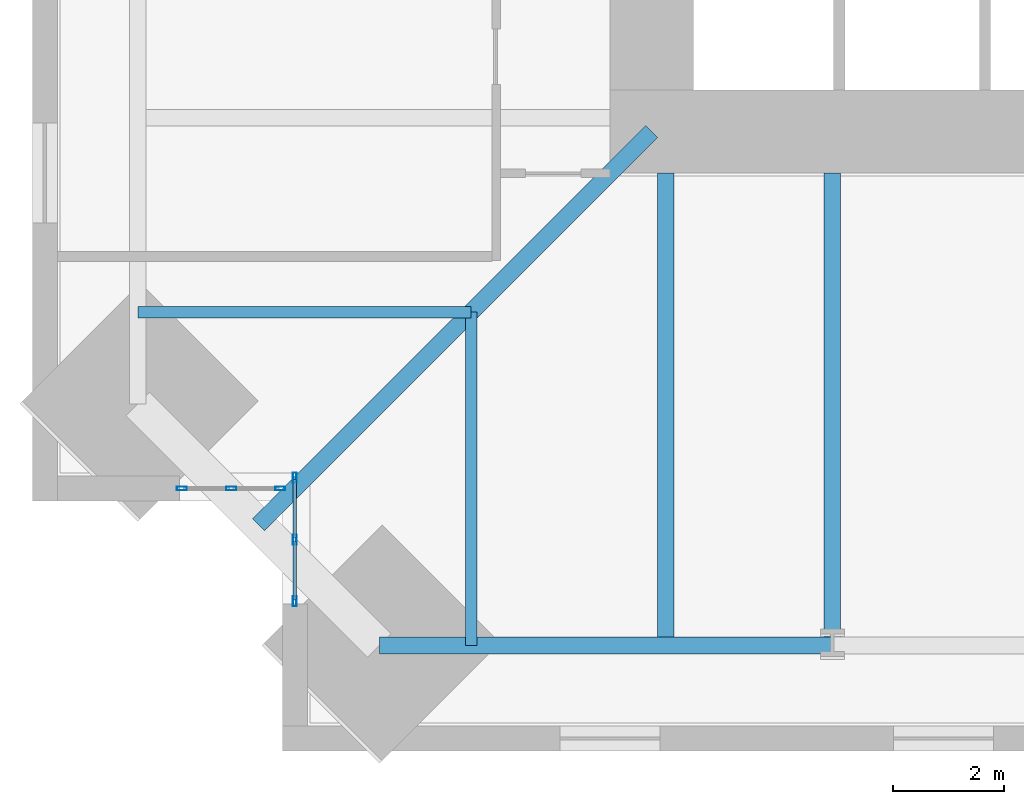
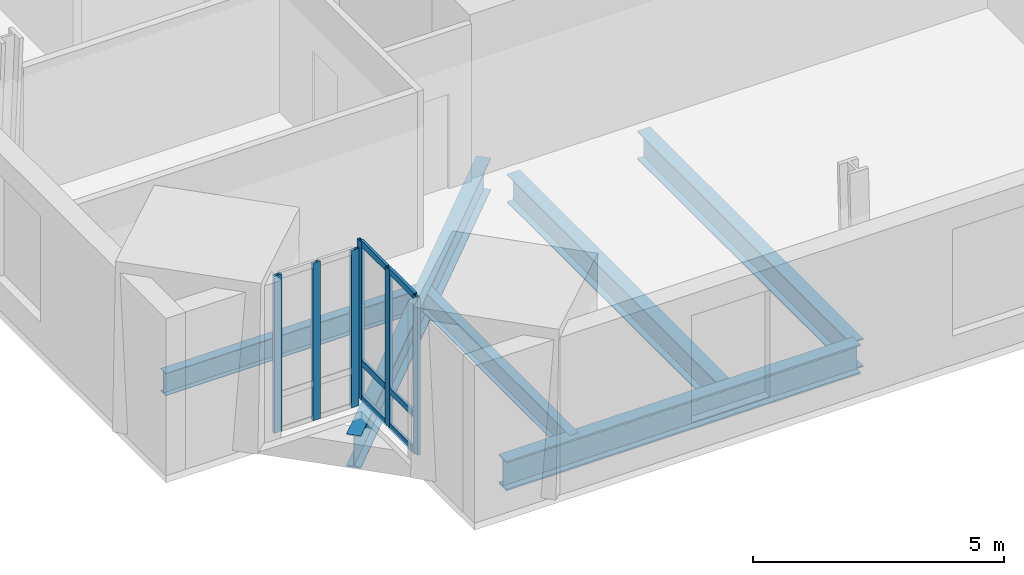
# One storey, part 2 of 17: 12 members, 6 beams, 2 elements without a shape of their own.
"""IFC4 building model written with IfcOpenShell, lengths in metres."""

from ifc_helpers import new_model, si_unit, direction, frame, origin, origin_2d, place, context, subcontext, project, spatial, hollow_rectangle, i_section, extrude, material, material_profile, profile_set, type_object, element, aggregate, save


model = new_model("IFC4")

# Units and contexts
model_context = context("Model", 3, precision=1e-05, world=origin(), true_north=direction((0.0, 1.0)))
body_context = subcontext(model_context, "Body", "Model", "MODEL_VIEW")
ifc_project = project(units=[si_unit("LENGTHUNIT", "METRE"), si_unit("AREAUNIT", "SQUARE_METRE"), si_unit("VOLUMEUNIT", "CUBIC_METRE"), si_unit("PLANEANGLEUNIT", "RADIAN"), si_unit("MASSUNIT", "GRAM", prefix="KILO")], contexts=[model_context])

# Site, building, storey
site_placement = place(None, origin())
site = spatial("IfcSite", under=ifc_project, at=site_placement, CompositionType="ELEMENT")
building_placement = place(site_placement, origin())
building = spatial("IfcBuilding", under=site, at=building_placement, Name="Peilmerk Tower", CompositionType="ELEMENT")
storey_placement = place(building_placement, frame((0.0, 0.0, 257.800048828125)))
storey = spatial("IfcBuildingStorey", under=building, at=storey_placement, Name="L57", CompositionType="ELEMENT", Elevation=257.800048828125)

# Beams
ifc_material_1 = material(Name="Steel S355", Category="steel")
ifc_material_profile_1 = material_profile(ifc_material_1, i_section(OverallWidth=0.2099609375, OverallDepth=0.550048828125, WebThickness=0.010986328125, FlangeThickness=0.01708984375, at=origin_2d()), Name="IPE 550")
ifc_profile_set_1 = profile_set([ifc_material_profile_1], Name="Steel S355")
beam_type_1 = type_object("IfcBeamType", Name="B12 IPE 550 floor beam", PredefinedType="BEAM", material=ifc_profile_set_1)
for number, where, z_axis, x_axis, name in (
    (1, (-14.5, -14.5, -0.445068359375), (0.0, -1.0, 0.0), (1.0, 0.0, 0.0), "Floor beam L57"),
    (2, (-14.5, -14.5, -0.445068359375), (-1.0, 0.0, 0.0), (0.0, -1.0, 0.0), "Floor beam L57"),
):
    element("IfcBeam", number, at=place(storey_placement, frame(where, z_axis=z_axis, x_axis=x_axis)), inside=storey, type_object=beam_type_1, Name=name, PredefinedType="BEAM", context=body_context, shape_type="SweptSolid", body=[
        extrude(i_section(OverallWidth=0.2099609375, OverallDepth=0.550048828125, WebThickness=0.010986328125, FlangeThickness=0.01708984375, at=origin_2d()), origin(), (0.0, 0.0, 1.0), 6.001708984375),
    ])
ifc_material_profile_2 = material_profile(ifc_material_1, i_section(OverallWidth=0.300048828125, OverallDepth=0.68994140625, WebThickness=0.014404296875, FlangeThickness=0.027099609375, at=origin_2d()), Name="HEA 700")
ifc_profile_set_2 = profile_set([ifc_material_profile_2], Name="Steel S355")
beam_type_2 = type_object("IfcBeamType", Name="B16 HEA 700 floor beam", PredefinedType="BEAM", material=ifc_profile_set_2)
for number, where, z_axis, x_axis, name in (
    (3, (-11.0, -12.0, -0.51513671875), (0.0, -1.0, 0.0), (1.0, 0.0, 0.0), "Floor beam L57"),
    (4, (-8.0, -12.0, -0.51513671875), (0.0, -1.0, 0.0), (1.0, 0.0, 0.0), "Floor beam L57"),
):
    element("IfcBeam", number, at=place(storey_placement, frame(where, z_axis=z_axis, x_axis=x_axis)), inside=storey, type_object=beam_type_2, Name=name, PredefinedType="BEAM", context=body_context, shape_type="SweptSolid", body=[
        extrude(i_section(OverallWidth=0.300048828125, OverallDepth=0.68994140625, WebThickness=0.014404296875, FlangeThickness=0.027099609375, at=origin_2d()), origin(), (0.0, 0.0, 1.0), 8.501708984375),
    ])
ifc_material_profile_3 = material_profile(ifc_material_1, i_section(OverallWidth=0.300048828125, OverallDepth=0.7900390625, WebThickness=0.014892578125, FlangeThickness=0.028076171875, at=origin_2d()), Name="HEA 800")
ifc_profile_set_3 = profile_set([ifc_material_profile_3], Name="Steel S355")
beam_type_3 = type_object("IfcBeamType", Name="B3 HEA 800 floor beam", PredefinedType="BEAM", material=ifc_profile_set_3)
beam_1_placement = place(storey_placement, frame((-11.25, -11.25, -0.56494140625), z_axis=(-0.707106781187, -0.707106781187, 0.0), x_axis=(0.707106781187, -0.707106781187, 0.0)))
element("IfcBeam", 5, at=beam_1_placement, inside=storey, type_object=beam_type_3, Name="Corner girder L57", PredefinedType="BEAM", context=body_context, shape_type="SweptSolid", body=[
    extrude(i_section(OverallWidth=0.300048828125, OverallDepth=0.7900390625, WebThickness=0.014892578125, FlangeThickness=0.028076171875, at=origin_2d()), origin(), (0.0, 0.0, 1.0), 10.0078125),
])
ifc_material_profile_4 = material_profile(ifc_material_1, i_section(OverallWidth=0.303955078125, OverallDepth=0.716064453125, WebThickness=0.02099609375, FlangeThickness=0.0400390625, at=origin_2d()), Name="HEM 700")
ifc_profile_set_4 = profile_set([ifc_material_profile_4], Name="Steel S355")
beam_type_4 = type_object("IfcBeamType", Name="B30 HEM 700 edge beam", PredefinedType="SPANDREL", material=ifc_profile_set_4)
beam_2_placement = place(storey_placement, frame((-16.151611328125, -20.501708984375, -0.528076171875), z_axis=(1.0, 0.0, 0.0), x_axis=(0.0, 1.0, 0.0)))
element("IfcBeam", 6, at=beam_2_placement, inside=storey, type_object=beam_type_4, Name="Edge beam L57", PredefinedType="SPANDREL", context=body_context, shape_type="SweptSolid", body=[
    extrude(i_section(OverallWidth=0.303955078125, OverallDepth=0.716064453125, WebThickness=0.02099609375, FlangeThickness=0.0400390625, at=origin_2d()), origin(), (0.0, 0.0, 1.0), 8.151611328125),
])

# Curtain wall, members
ifc_material_2 = material(Name="Aluminium stick curtain wall", Category="aluminium")
curtain_wall_type = type_object("IfcCurtainWallType", Name="CW4 stick curtain wall, 2250 module", PredefinedType="NOTDEFINED", material=ifc_material_2)
curtain_wall_1_placement = place(storey_placement, origin())
curtain_wall_1 = element("IfcCurtainWall", 7, at=curtain_wall_1_placement, inside=storey, type_object=curtain_wall_type, Name="Curtain wall CW4 SWA L57", PredefinedType="NOTDEFINED")
ifc_material_3 = material(Name="Aluminium EN AW-6063 T6", Category="aluminium")
ifc_material_profile_5 = material_profile(ifc_material_3, hollow_rectangle(XDim=0.06494140625, YDim=0.179931640625, WallThickness=0.0029296875, at=origin_2d()), Name="AL 180x65x3")
ifc_profile_set_5 = profile_set([ifc_material_profile_5], Name="Aluminium EN AW-6063 T6")
member_type_1 = type_object("IfcMemberType", Name="CW4-M AL 180x65x3 mullion", PredefinedType="MULLION", material=ifc_profile_set_5)
member_1_placement = place(storey_placement, frame((-17.675048828125, -17.482421875, 0.0), z_axis=(0.0, 0.0, 1.0), x_axis=(1.0, 0.0, 0.0)))
member_1 = element("IfcMember", 8, at=member_1_placement, type_object=member_type_1, Name="CW4 mullion 1", PredefinedType="MULLION", context=body_context, shape_type="SweptSolid", body=[
    extrude(hollow_rectangle(XDim=0.06494140625, YDim=0.179931640625, WallThickness=0.0029296875, at=origin_2d()), origin(), (0.0, 0.0, 1.0), 3.829833984375),
])
member_2_placement = place(storey_placement, frame((-17.675048828125, -18.59423828125, 0.0), z_axis=(0.0, 0.0, 1.0), x_axis=(1.0, 0.0, 0.0)))
member_2 = element("IfcMember", 9, at=member_2_placement, type_object=member_type_1, Name="CW4 mullion 2", PredefinedType="MULLION", context=body_context, shape_type="SweptSolid", body=[
    extrude(hollow_rectangle(XDim=0.06494140625, YDim=0.179931640625, WallThickness=0.0029296875, at=origin_2d()), origin(), (0.0, 0.0, 1.0), 3.829833984375),
])
member_3_placement = place(storey_placement, frame((-17.675048828125, -19.706298828125, 0.0), z_axis=(0.0, 0.0, 1.0), x_axis=(1.0, 0.0, 0.0)))
member_3 = element("IfcMember", 10, at=member_3_placement, type_object=member_type_1, Name="CW4 mullion 3", PredefinedType="MULLION", context=body_context, shape_type="SweptSolid", body=[
    extrude(hollow_rectangle(XDim=0.06494140625, YDim=0.179931640625, WallThickness=0.0029296875, at=origin_2d()), origin(), (0.0, 0.0, 1.0), 3.829833984375),
])

curtain_wall_2_placement = place(storey_placement, origin())
curtain_wall_2 = element("IfcCurtainWall", 11, at=curtain_wall_2_placement, inside=storey, type_object=curtain_wall_type, Name="Curtain wall CW4 SWB L57", PredefinedType="NOTDEFINED")
member_4_placement = place(storey_placement, frame((-17.9326171875, -17.675048828125, 0.0), z_axis=(0.0, 0.0, 1.0), x_axis=(0.0, -1.0, 0.0)))
member_4 = element("IfcMember", 12, at=member_4_placement, type_object=member_type_1, Name="CW4 mullion 1", PredefinedType="MULLION", context=body_context, shape_type="SweptSolid", body=[
    extrude(hollow_rectangle(XDim=0.06494140625, YDim=0.179931640625, WallThickness=0.0029296875, at=origin_2d()), origin(), (0.0, 0.0, 1.0), 3.829833984375),
])
member_5_placement = place(storey_placement, frame((-18.8193359375, -17.675048828125, 0.0), z_axis=(0.0, 0.0, 1.0), x_axis=(0.0, -1.0, 0.0)))
member_5 = element("IfcMember", 13, at=member_5_placement, type_object=member_type_1, Name="CW4 mullion 2", PredefinedType="MULLION", context=body_context, shape_type="SweptSolid", body=[
    extrude(hollow_rectangle(XDim=0.06494140625, YDim=0.179931640625, WallThickness=0.0029296875, at=origin_2d()), origin(), (0.0, 0.0, 1.0), 3.829833984375),
])
member_6_placement = place(storey_placement, frame((-19.706298828125, -17.675048828125, 0.0), z_axis=(0.0, 0.0, 1.0), x_axis=(0.0, -1.0, 0.0)))
member_6 = element("IfcMember", 14, at=member_6_placement, type_object=member_type_1, Name="CW4 mullion 3", PredefinedType="MULLION", context=body_context, shape_type="SweptSolid", body=[
    extrude(hollow_rectangle(XDim=0.06494140625, YDim=0.179931640625, WallThickness=0.0029296875, at=origin_2d()), origin(), (0.0, 0.0, 1.0), 3.829833984375),
])
aggregate(curtain_wall_2, [member_4, member_5, member_6])

# Member
ifc_material_profile_6 = material_profile(ifc_material_3, hollow_rectangle(XDim=0.06494140625, YDim=0.14990234375, WallThickness=0.0029296875, at=origin_2d()), Name="AL 150x65x3")
ifc_profile_set_6 = profile_set([ifc_material_profile_6], Name="Aluminium EN AW-6063 T6")
member_type_2 = type_object("IfcMemberType", Name="CW4-T AL 150x65x3 transom", PredefinedType="USERDEFINED", material=ifc_profile_set_6)
member_7_placement = place(storey_placement, frame((-17.675048828125, -17.514892578125, 0.032470703125), z_axis=(0.0, -1.0, 0.0), x_axis=(1.0, 0.0, 0.0)))
member_7 = element("IfcMember", 15, at=member_7_placement, type_object=member_type_2, Name="CW4 transom 1.1", ObjectType="TRANSOM", PredefinedType="USERDEFINED", context=body_context, shape_type="SweptSolid", body=[
    extrude(hollow_rectangle(XDim=0.06494140625, YDim=0.14990234375, WallThickness=0.0029296875, at=origin_2d()), origin(), (0.0, 0.0, 1.0), 1.046875),
])

member_8_placement = place(storey_placement, frame((-17.675048828125, -17.514892578125, 0.89990234375), z_axis=(0.0, -1.0, 0.0), x_axis=(1.0, 0.0, 0.0)))
member_8 = element("IfcMember", 16, at=member_8_placement, type_object=member_type_2, Name="CW4 transom 1.2", ObjectType="TRANSOM", PredefinedType="USERDEFINED", context=body_context, shape_type="SweptSolid", body=[
    extrude(hollow_rectangle(XDim=0.06494140625, YDim=0.14990234375, WallThickness=0.0029296875, at=origin_2d()), origin(), (0.0, 0.0, 1.0), 1.046875),
])

member_9_placement = place(storey_placement, frame((-17.675048828125, -17.514892578125, 3.79736328125), z_axis=(0.0, -1.0, 0.0), x_axis=(1.0, 0.0, 0.0)))
member_9 = element("IfcMember", 17, at=member_9_placement, type_object=member_type_2, Name="CW4 transom 1.3", ObjectType="TRANSOM", PredefinedType="USERDEFINED", context=body_context, shape_type="SweptSolid", body=[
    extrude(hollow_rectangle(XDim=0.06494140625, YDim=0.14990234375, WallThickness=0.0029296875, at=origin_2d()), origin(), (0.0, 0.0, 1.0), 1.046875),
])

member_10_placement = place(storey_placement, frame((-17.675048828125, -18.626953125, 0.032470703125), z_axis=(0.0, -1.0, 0.0), x_axis=(1.0, 0.0, 0.0)))
member_10 = element("IfcMember", 18, at=member_10_placement, type_object=member_type_2, Name="CW4 transom 2.1", ObjectType="TRANSOM", PredefinedType="USERDEFINED", context=body_context, shape_type="SweptSolid", body=[
    extrude(hollow_rectangle(XDim=0.06494140625, YDim=0.14990234375, WallThickness=0.0029296875, at=origin_2d()), origin(), (0.0, 0.0, 1.0), 1.046630859375),
])

member_11_placement = place(storey_placement, frame((-17.675048828125, -18.626953125, 0.89990234375), z_axis=(0.0, -1.0, 0.0), x_axis=(1.0, 0.0, 0.0)))
member_11 = element("IfcMember", 19, at=member_11_placement, type_object=member_type_2, Name="CW4 transom 2.2", ObjectType="TRANSOM", PredefinedType="USERDEFINED", context=body_context, shape_type="SweptSolid", body=[
    extrude(hollow_rectangle(XDim=0.06494140625, YDim=0.14990234375, WallThickness=0.0029296875, at=origin_2d()), origin(), (0.0, 0.0, 1.0), 1.046630859375),
])

member_12_placement = place(storey_placement, frame((-17.675048828125, -18.626953125, 3.79736328125), z_axis=(0.0, -1.0, 0.0), x_axis=(1.0, 0.0, 0.0)))
member_12 = element("IfcMember", 20, at=member_12_placement, type_object=member_type_2, Name="CW4 transom 2.3", ObjectType="TRANSOM", PredefinedType="USERDEFINED", context=body_context, shape_type="SweptSolid", body=[
    extrude(hollow_rectangle(XDim=0.06494140625, YDim=0.14990234375, WallThickness=0.0029296875, at=origin_2d()), origin(), (0.0, 0.0, 1.0), 1.046630859375),
])

aggregate(curtain_wall_1, [member_1, member_2, member_3, member_7, member_8, member_9, member_10, member_11, member_12])

save(model, "model.ifc")
